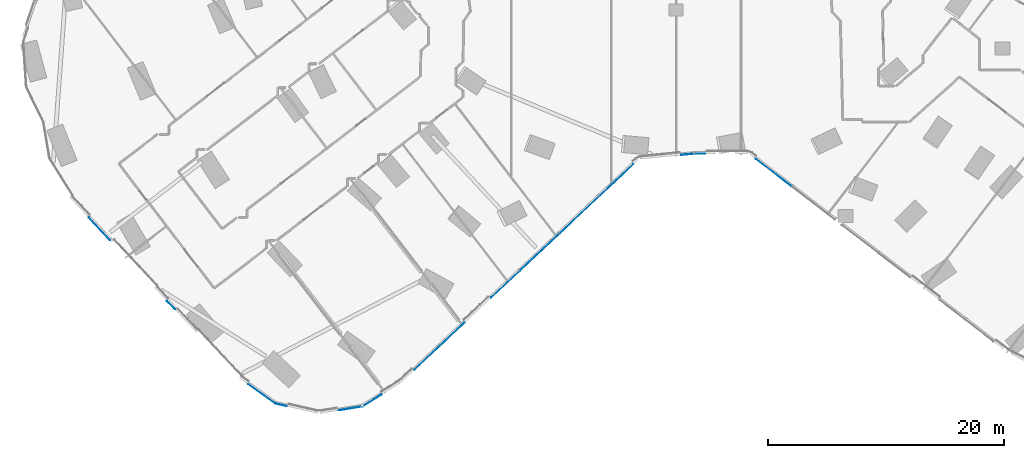
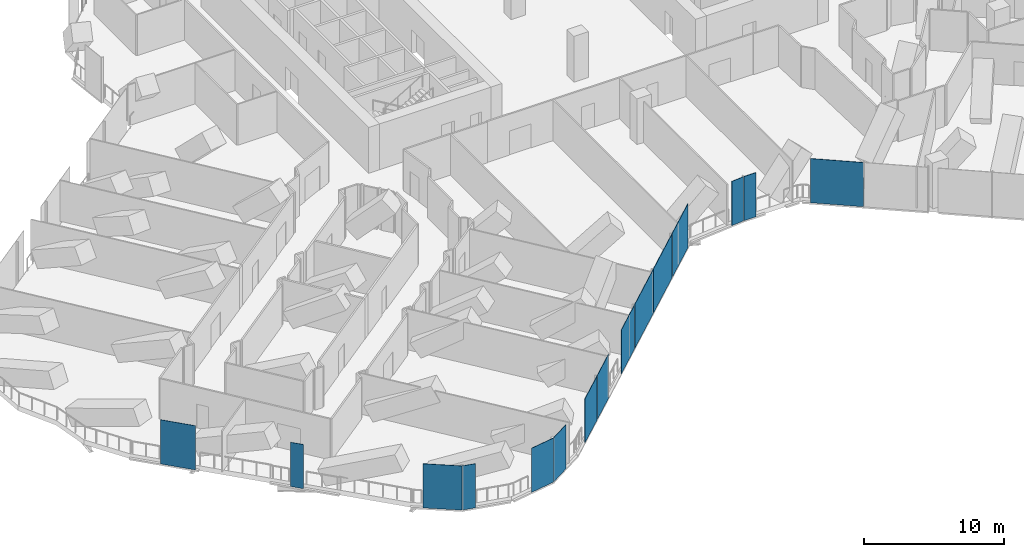
# One storey, part 16 of 32: 15 plates, 9 elements without a shape of their own.
"""IFC4 building model written with IfcOpenShell, lengths in metres."""

from ifc_helpers import new_model, si_unit, direction, frame, origin, origin_2d, place, context, subcontext, project, spatial, rectangle, extrude, material, layer, layer_set, type_object, element, aggregate, save


model = new_model("IFC4")

# Units and contexts
model_context = context("Model", 3, precision=1e-05, world=origin(), true_north=direction((0.0, 1.0)))
body_context = subcontext(model_context, "Body", "Model", "MODEL_VIEW")
ifc_project = project(units=[si_unit("LENGTHUNIT", "METRE"), si_unit("AREAUNIT", "SQUARE_METRE"), si_unit("VOLUMEUNIT", "CUBIC_METRE"), si_unit("PLANEANGLEUNIT", "RADIAN"), si_unit("MASSUNIT", "GRAM", prefix="KILO")], contexts=[model_context])

# Site, building, storey
site_placement = place(None, origin())
site = spatial("IfcSite", under=ifc_project, at=site_placement, CompositionType="ELEMENT")
building_placement = place(site_placement, origin())
building = spatial("IfcBuilding", under=site, at=building_placement, Name="Orlundy Tower", CompositionType="ELEMENT")
storey_placement = place(building_placement, frame((0.0, 0.0, 33.300048828125)))
storey = spatial("IfcBuildingStorey", under=building, at=storey_placement, Name="L06", CompositionType="ELEMENT", Elevation=33.300048828125)

# Curtain wall, plate
ifc_material_1 = material(Name="Aluminium bronze anodised", Category="aluminium")
curtain_wall_type = type_object("IfcCurtainWallType", Name="CW5 wall", PredefinedType="NOTDEFINED", material=ifc_material_1)
curtain_wall_1_placement = place(storey_placement, origin())
curtain_wall_1 = element("IfcCurtainWall", 1, at=curtain_wall_1_placement, inside=storey, type_object=curtain_wall_type, Name="CW5 run 027", PredefinedType="NOTDEFINED")
ifc_material_2 = material(Name="Tinted glass", Category="glass")
ifc_layer_1 = layer(ifc_material_2, 0.031982421875)
ifc_layer_set_1 = layer_set([ifc_layer_1], Name="CW5 glass panel 32")
plate_type_1 = type_object("IfcPlateType", Name="CW5 glass panel 32", PredefinedType="CURTAIN_PANEL", material=ifc_layer_set_1)
plate_1_placement = place(storey_placement, frame((8.26953125, -31.786865234375, -0.2802734375), z_axis=(0.0, 0.0, 1.0), x_axis=(-0.793356622022, 0.60875715215, 0.0)))
plate_1 = element("IfcPlate", 2, at=plate_1_placement, type_object=plate_type_1, Name="CW5 panel", PredefinedType="CURTAIN_PANEL", context=body_context, shape_type="SweptSolid", body=[
    extrude(rectangle(XDim=3.820068359375, YDim=0.031982421875, at=origin_2d()), origin(), (0.0, 0.0, 1.0), 3.860107421875),
])
aggregate(curtain_wall_1, [plate_1])

curtain_wall_2_placement = place(storey_placement, origin())
curtain_wall_2 = element("IfcCurtainWall", 3, at=curtain_wall_2_placement, inside=storey, type_object=curtain_wall_type, Name="CW5 run 028", PredefinedType="NOTDEFINED")
plate_2_placement = place(storey_placement, frame((1.9990234375, -30.18408203125, -0.2802734375), z_axis=(0.0, 0.0, 1.0), x_axis=(-1.0, 0.0, 0.0)))
plate_2 = element("IfcPlate", 4, at=plate_2_placement, type_object=plate_type_1, Name="CW5 panel", PredefinedType="CURTAIN_PANEL", context=body_context, shape_type="SweptSolid", body=[
    extrude(rectangle(XDim=0.9580078125, YDim=0.031982421875, at=origin_2d()), origin(), (0.0, 0.0, 1.0), 3.860107421875),
])
aggregate(curtain_wall_2, [plate_2])

# Curtain wall, plates
curtain_wall_3_placement = place(storey_placement, origin())
curtain_wall_3 = element("IfcCurtainWall", 5, at=curtain_wall_3_placement, inside=storey, type_object=curtain_wall_type, Name="CW5 run 030", PredefinedType="NOTDEFINED")
plate_3_placement = place(storey_placement, frame((-5.06005859375, -32.420166015625, -0.2802734375), z_axis=(0.0, 0.0, 1.0), x_axis=(-0.729365455086, -0.684124281784, 0.0)))
plate_3 = element("IfcPlate", 6, at=plate_3_placement, type_object=plate_type_1, Name="CW5 panel", PredefinedType="CURTAIN_PANEL", context=body_context, shape_type="SweptSolid", body=[
    extrude(rectangle(XDim=3.90283203125, YDim=0.031982421875, at=origin_2d()), origin(), (0.0, 0.0, 1.0), 3.860107421875),
])
plate_4_placement = place(storey_placement, frame((-8.1904296875, -35.356201171875, -0.2802734375), z_axis=(0.0, 0.0, 1.0), x_axis=(-0.729365455086, -0.684124281784, 0.0)))
plate_4 = element("IfcPlate", 7, at=plate_4_placement, type_object=plate_type_1, Name="CW5 panel", PredefinedType="CURTAIN_PANEL", context=body_context, shape_type="SweptSolid", body=[
    extrude(rectangle(XDim=4.580810546875, YDim=0.031982421875, at=origin_2d()), origin(), (0.0, 0.0, 1.0), 3.860107421875),
])
plate_5_placement = place(storey_placement, frame((-14.478271484375, -41.254150390625, -0.2802734375), z_axis=(0.0, 0.0, 1.0), x_axis=(-0.729365455086, -0.684124281784, 0.0)))
plate_5 = element("IfcPlate", 8, at=plate_5_placement, type_object=plate_type_1, Name="CW5 panel", PredefinedType="CURTAIN_PANEL", context=body_context, shape_type="SweptSolid", body=[
    extrude(rectangle(XDim=3.300048828125, YDim=0.031982421875, at=origin_2d()), origin(), (0.0, 0.0, 1.0), 3.860107421875),
])
plate_6_placement = place(storey_placement, frame((-18.97412109375, -45.47119140625, -0.2802734375), z_axis=(0.0, 0.0, 1.0), x_axis=(-0.729365455086, -0.684124281784, 0.0)))
plate_6 = element("IfcPlate", 9, at=plate_6_placement, type_object=plate_type_1, Name="CW5 panel", PredefinedType="CURTAIN_PANEL", context=body_context, shape_type="SweptSolid", body=[
    extrude(rectangle(XDim=2.794677734375, YDim=0.031982421875, at=origin_2d()), origin(), (0.0, 0.0, 1.0), 3.860107421875),
])

# Curtain wall, plate
curtain_wall_4_placement = place(storey_placement, origin())
curtain_wall_4 = element("IfcCurtainWall", 10, at=curtain_wall_4_placement, inside=storey, type_object=curtain_wall_type, Name="CW5 run 031", PredefinedType="NOTDEFINED")
plate_7_placement = place(storey_placement, frame((-25.791259765625, -51.11181640625, -0.2802734375), z_axis=(0.0, 0.0, 1.0), x_axis=(-0.848951715627, -0.528470419734, 0.0)))
plate_7 = element("IfcPlate", 11, at=plate_7_placement, type_object=plate_type_1, Name="CW5 panel", PredefinedType="CURTAIN_PANEL", context=body_context, shape_type="SweptSolid", body=[
    extrude(rectangle(XDim=1.895263671875, YDim=0.031982421875, at=origin_2d()), origin(), (0.0, 0.0, 1.0), 3.860107421875),
])
aggregate(curtain_wall_4, [plate_7])

curtain_wall_5_placement = place(storey_placement, origin())
curtain_wall_5 = element("IfcCurtainWall", 12, at=curtain_wall_5_placement, inside=storey, type_object=curtain_wall_type, Name="CW5 run 032", PredefinedType="NOTDEFINED")
plate_8_placement = place(storey_placement, frame((-27.605712890625, -51.7802734375, -0.2802734375), z_axis=(0.0, 0.0, 1.0), x_axis=(-0.986495831177, -0.163786370223, 0.0)))
plate_8 = element("IfcPlate", 13, at=plate_8_placement, type_object=plate_type_1, Name="CW5 panel", PredefinedType="CURTAIN_PANEL", context=body_context, shape_type="SweptSolid", body=[
    extrude(rectangle(XDim=2.047607421875, YDim=0.031982421875, at=origin_2d()), origin(), (0.0, 0.0, 1.0), 3.860107421875),
])
aggregate(curtain_wall_5, [plate_8])

curtain_wall_6_placement = place(storey_placement, origin())
curtain_wall_6 = element("IfcCurtainWall", 14, at=curtain_wall_6_placement, inside=storey, type_object=curtain_wall_type, Name="CW5 run 034", PredefinedType="NOTDEFINED")
plate_9_placement = place(storey_placement, frame((-35.148681640625, -50.558349609375, -0.2802734375), z_axis=(0.0, 0.0, 1.0), x_axis=(-0.813204454711, 0.58197810512, 0.0)))
plate_9 = element("IfcPlate", 15, at=plate_9_placement, type_object=plate_type_1, Name="CW5 panel", PredefinedType="CURTAIN_PANEL", context=body_context, shape_type="SweptSolid", body=[
    extrude(rectangle(XDim=2.809814453125, YDim=0.031982421875, at=origin_2d()), origin(), (0.0, 0.0, 1.0), 3.860107421875),
])
aggregate(curtain_wall_6, [plate_9])

curtain_wall_7_placement = place(storey_placement, origin())
curtain_wall_7 = element("IfcCurtainWall", 16, at=curtain_wall_7_placement, inside=storey, type_object=curtain_wall_type, Name="CW5 run 035", PredefinedType="NOTDEFINED")
plate_10_placement = place(storey_placement, frame((-48.922119140625, -36.545654296875, -0.2802734375), z_axis=(0.0, 0.0, 1.0), x_axis=(-0.684126430551, 0.729363439598, 0.0)))
plate_10 = element("IfcPlate", 17, at=plate_10_placement, type_object=plate_type_1, Name="CW5 panel", PredefinedType="CURTAIN_PANEL", context=body_context, shape_type="SweptSolid", body=[
    extrude(rectangle(XDim=2.606689453125, YDim=0.031982421875, at=origin_2d()), origin(), (0.0, 0.0, 1.0), 3.860107421875),
])

curtain_wall_8_placement = place(storey_placement, origin())
curtain_wall_8 = element("IfcCurtainWall", 18, at=curtain_wall_8_placement, inside=storey, type_object=curtain_wall_type, Name="CW5 run 029", PredefinedType="NOTDEFINED")
ifc_material_3 = material(Name="Tinted glass", Category="glass")
ifc_layer_2 = layer(ifc_material_3, 0.031982421875)
ifc_layer_set_2 = layer_set([ifc_layer_2], Name="CW5 vent panel 32")
plate_type_2 = type_object("IfcPlateType", Name="CW5 vent panel 32", PredefinedType="CURTAIN_PANEL", material=ifc_layer_set_2)
plate_11_placement = place(storey_placement, frame((0.95751953125, -30.2373046875, -0.2802734375), z_axis=(0.0, 0.0, 1.0), x_axis=(-0.995111801378, -0.098754760691, 0.0)))
plate_11 = element("IfcPlate", 19, at=plate_11_placement, type_object=plate_type_2, Name="CW5 panel", PredefinedType="CURTAIN_PANEL", context=body_context, shape_type="SweptSolid", body=[
    extrude(rectangle(XDim=1.0302734375, YDim=0.031982421875, at=origin_2d()), origin(), (0.0, 0.0, 1.0), 3.860107421875),
])
aggregate(curtain_wall_8, [plate_11])

# Plate
plate_12_placement = place(storey_placement, frame((-11.56787109375, -38.524169921875, -0.2802734375), z_axis=(0.0, 0.0, 1.0), x_axis=(-0.729365455086, -0.684124281784, 0.0)))
plate_12 = element("IfcPlate", 20, at=plate_12_placement, type_object=plate_type_2, Name="CW5 panel", PredefinedType="CURTAIN_PANEL", context=body_context, shape_type="SweptSolid", body=[
    extrude(rectangle(XDim=4.580810546875, YDim=0.031982421875, at=origin_2d()), origin(), (0.0, 0.0, 1.0), 3.860107421875),
])

plate_13_placement = place(storey_placement, frame((-21.116455078125, -47.48046875, -0.2802734375), z_axis=(0.0, 0.0, 1.0), x_axis=(-0.729365455086, -0.684124281784, 0.0)))
plate_13 = element("IfcPlate", 21, at=plate_13_placement, type_object=plate_type_2, Name="CW5 panel", PredefinedType="CURTAIN_PANEL", context=body_context, shape_type="SweptSolid", body=[
    extrude(rectangle(XDim=2.9794921875, YDim=0.031982421875, at=origin_2d()), origin(), (0.0, 0.0, 1.0), 3.860107421875),
])

aggregate(curtain_wall_3, [plate_3, plate_4, plate_12, plate_5, plate_6, plate_13])

# Curtain wall, plate
curtain_wall_9_placement = place(storey_placement, origin())
curtain_wall_9 = element("IfcCurtainWall", 22, at=curtain_wall_9_placement, inside=storey, type_object=curtain_wall_type, Name="CW5 run 033", PredefinedType="NOTDEFINED")
plate_14_placement = place(storey_placement, frame((-33.52392578125, -51.488037109375, -0.2802734375), z_axis=(0.0, 0.0, 1.0), x_axis=(-0.974053680026, 0.226317097073, 0.0)))
plate_14 = element("IfcPlate", 23, at=plate_14_placement, type_object=plate_type_2, Name="CW5 panel", PredefinedType="CURTAIN_PANEL", context=body_context, shape_type="SweptSolid", body=[
    extrude(rectangle(XDim=0.990478515625, YDim=0.031982421875, at=origin_2d()), origin(), (0.0, 0.0, 1.0), 3.860107421875),
])
aggregate(curtain_wall_9, [plate_14])

# Plate
plate_15_placement = place(storey_placement, frame((-42.845703125, -43.02392578125, -0.2802734375), z_axis=(0.0, 0.0, 1.0), x_axis=(-0.684126430551, 0.729363439598, 0.0)))
plate_15 = element("IfcPlate", 24, at=plate_15_placement, type_object=plate_type_2, Name="CW5 panel", PredefinedType="CURTAIN_PANEL", context=body_context, shape_type="SweptSolid", body=[
    extrude(rectangle(XDim=0.979248046875, YDim=0.031982421875, at=origin_2d()), origin(), (0.0, 0.0, 1.0), 3.860107421875),
])

aggregate(curtain_wall_7, [plate_15, plate_10])

save(model, "model.ifc")
